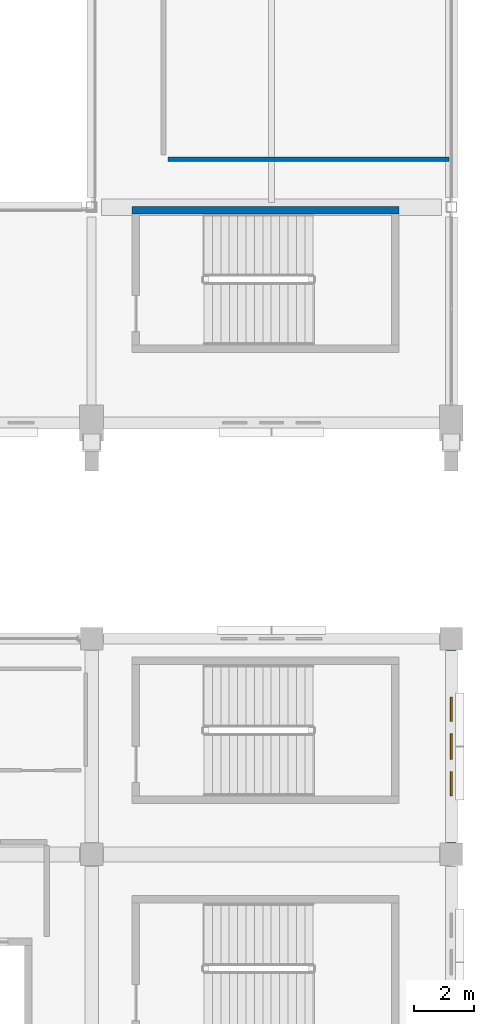
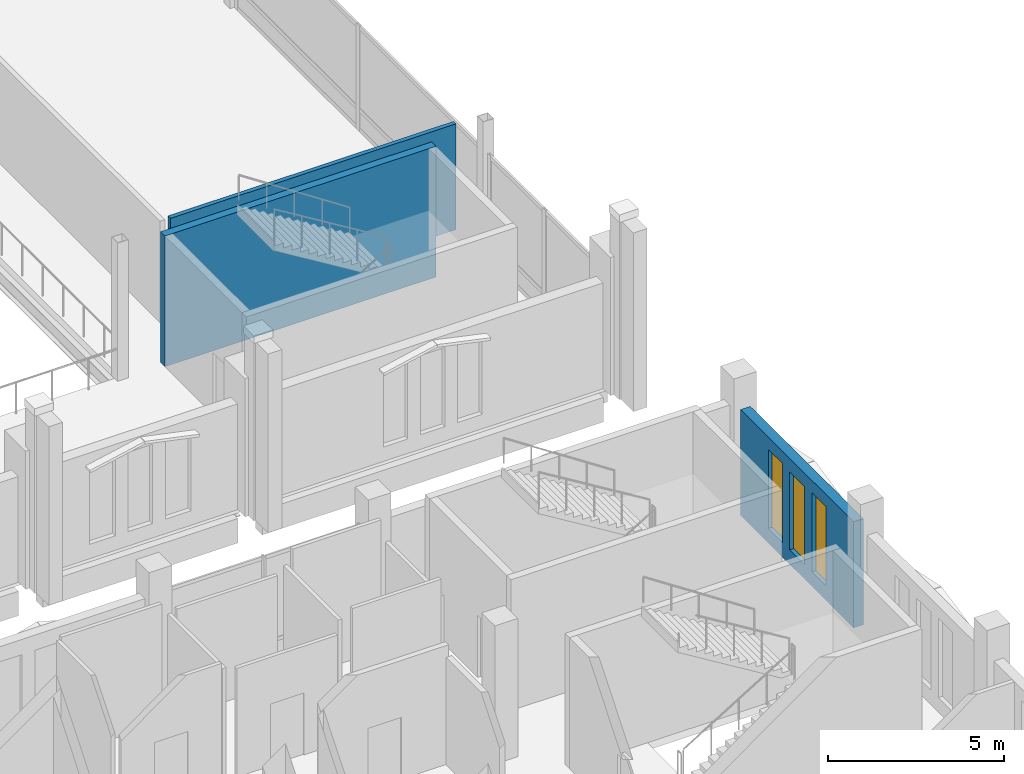
# One storey, part 146 of 193: 3 walls, 3 windows, 3 openings.
"""IFC4 building model written with IfcOpenShell, lengths in metres."""

from ifc_helpers import new_model, si_unit, direction, frame, frame_2d, origin, place, context, subcontext, project, spatial, rectangle, extrude, material, layer, layer_set, type_object, element, fill, save


model = new_model("IFC4")

# Units and contexts
model_context = context("Model", 3, precision=1e-05, world=origin(), true_north=direction((0.0, 1.0)))
body_context = subcontext(model_context, "Body", "Model", "MODEL_VIEW")
ifc_project = project(units=[si_unit("LENGTHUNIT", "METRE"), si_unit("AREAUNIT", "SQUARE_METRE"), si_unit("VOLUMEUNIT", "CUBIC_METRE"), si_unit("PLANEANGLEUNIT", "RADIAN"), si_unit("MASSUNIT", "GRAM", prefix="KILO")], contexts=[model_context])

# Site, building, storey
site_placement = place(None, origin())
site = spatial("IfcSite", under=ifc_project, at=site_placement, CompositionType="ELEMENT")
building_placement = place(site_placement, origin())
building = spatial("IfcBuilding", under=site, at=building_placement, Name="Cendralis Lancet Convention Centre", CompositionType="ELEMENT")
storey_placement = place(building_placement, frame((0.0, 0.0, 10.199951171875)))
storey = spatial("IfcBuildingStorey", under=building, at=storey_placement, Name="L02", CompositionType="ELEMENT", Elevation=10.199951171875)

# Wall, openings, windows
ifc_material_1 = material(Name="Buff sandstone ashlar and Concrete G40 (C40/50)", Category="masonry")
ifc_layer_1 = layer(ifc_material_1, 0.320068359375, Name="Buff sandstone ashlar and Concrete G40 (C40/50)")
ifc_layer_set_1 = layer_set([ifc_layer_1], Name="Buff sandstone ashlar and Concrete G40 (C40/50)")
wall_type_1 = type_object("IfcWallType", Name="ARC-EW-W320", PredefinedType="STANDARD", material=ifc_layer_set_1)
wall_1_placement = place(storey_placement, frame((208.800048828125, 35.616943359375, 0.0), z_axis=(0.0, 0.0, 1.0), x_axis=(0.0, -1.0, 0.0)))
wall_1 = element("IfcWall", 1, at=wall_1_placement, inside=storey, type_object=wall_type_1, Name="L02 V5 Exterior Wall EW-06 #0295", PredefinedType="STANDARD", context=body_context, shape_type="SweptSolid", body=[
    extrude(rectangle(XDim=6.433837890625, YDim=0.320068359375, at=frame_2d((3.216796875, 0.0))), origin(), (0.0, 0.0, 1.0), 3.675048828125),
])
opening_1_placement = place(wall_1_placement, frame((1.576904296875, 0.0, 0.5)))
opening_1 = element("IfcOpeningElement", 2, at=opening_1_placement, cuts=wall_1, Name="Opening WN-07", PredefinedType="OPENING", context=body_context, shape_type="SweptSolid", body=[
    extrude(rectangle(XDim=0.800048828125, YDim=2.75, at=frame_2d((0.39990234375, 1.375))), frame((0.0, 0.169921875, 0.0), z_axis=(0.0, -1.0, 0.0), x_axis=(1.0, 0.0, 0.0)), (0.0, 0.0, 1.0), 0.340087890625),
])
opening_2_placement = place(wall_1_placement, frame((2.797119140625, 0.0, 0.5)))
opening_2 = element("IfcOpeningElement", 3, at=opening_2_placement, cuts=wall_1, Name="Opening WN-15", PredefinedType="OPENING", context=body_context, shape_type="SweptSolid", body=[
    extrude(rectangle(XDim=0.840087890625, YDim=2.699951171875, at=frame_2d((0.419921875, 1.35009765625))), frame((0.0, 0.169921875, 0.0), z_axis=(0.0, -1.0, 0.0), x_axis=(1.0, 0.0, 0.0)), (0.0, 0.0, 1.0), 0.340087890625),
])
opening_3_placement = place(wall_1_placement, frame((4.056884765625, 0.0, 0.5)))
opening_3 = element("IfcOpeningElement", 4, at=opening_3_placement, cuts=wall_1, Name="Opening WN-07", PredefinedType="OPENING", context=body_context, shape_type="SweptSolid", body=[
    extrude(rectangle(XDim=0.800048828125, YDim=2.75, at=frame_2d((0.39990234375, 1.375))), frame((0.0, 0.169921875, 0.0), z_axis=(0.0, -1.0, 0.0), x_axis=(1.0, 0.0, 0.0)), (0.0, 0.0, 1.0), 0.340087890625),
])
ifc_material_2 = material(Name="Double-glazed low-E solar-control glass", Category="glass")
window_type_1 = type_object("IfcWindowType", Name="ARC-WN-LW07", PartitioningType="SINGLE_PANEL", PredefinedType="WINDOW", material=ifc_material_2)
window_1_placement = place(opening_1_placement, origin())
window_1 = element("IfcWindow", 5, at=window_1_placement, inside=storey, type_object=window_type_1, Name="Gothic Lancet Window WN-07 #0574", OverallHeight=2.75, OverallWidth=0.800048828125, PartitioningType="SINGLE_PANEL", PredefinedType="WINDOW", context=body_context, shape_type="SweptSolid", body=[
    extrude(rectangle(XDim=0.800048828125, YDim=2.75, at=frame_2d((0.39990234375, 1.375))), frame((0.0, 0.030029296875, 0.0), z_axis=(0.0, -1.0, 0.0), x_axis=(1.0, 0.0, 0.0)), (0.0, 0.0, 1.0), 0.06005859375),
])
fill(opening_1, window_1)
window_2_placement = place(opening_3_placement, origin())
window_2 = element("IfcWindow", 6, at=window_2_placement, inside=storey, type_object=window_type_1, Name="Gothic Lancet Window WN-07 #0576", OverallHeight=2.75, OverallWidth=0.800048828125, PartitioningType="SINGLE_PANEL", PredefinedType="WINDOW", context=body_context, shape_type="SweptSolid", body=[
    extrude(rectangle(XDim=0.800048828125, YDim=2.75, at=frame_2d((0.39990234375, 1.375))), frame((0.0, 0.030029296875, 0.0), z_axis=(0.0, -1.0, 0.0), x_axis=(1.0, 0.0, 0.0)), (0.0, 0.0, 1.0), 0.06005859375),
])
fill(opening_3, window_2)
window_type_2 = type_object("IfcWindowType", Name="ARC-WN-LW15", PartitioningType="SINGLE_PANEL", PredefinedType="WINDOW", material=ifc_material_2)
window_3_placement = place(opening_2_placement, origin())
window_3 = element("IfcWindow", 7, at=window_3_placement, inside=storey, type_object=window_type_2, Name="Gothic Lancet Window WN-15 #0575", OverallHeight=2.699951171875, OverallWidth=0.840087890625, PartitioningType="SINGLE_PANEL", PredefinedType="WINDOW", context=body_context, shape_type="SweptSolid", body=[
    extrude(rectangle(XDim=0.840087890625, YDim=2.699951171875, at=frame_2d((0.419921875, 1.35009765625))), frame((0.0, 0.030029296875, 0.0), z_axis=(0.0, -1.0, 0.0), x_axis=(1.0, 0.0, 0.0)), (0.0, 0.0, 1.0), 0.06005859375),
])
fill(opening_2, window_3)

# Walls
ifc_material_3 = material(Name="Acoustic fire-rated gypsum board on steel studs", Category="steel")
ifc_layer_2 = layer(ifc_material_3, 0.139892578125, Name="Acoustic fire-rated gypsum board on steel studs")
ifc_layer_set_2 = layer_set([ifc_layer_2], Name="Acoustic fire-rated gypsum board on steel studs")
wall_type_2 = type_object("IfcWallType", Name="ARC-IW-P140", PredefinedType="PARTITIONING", material=ifc_layer_set_2)
wall_2_placement = place(storey_placement, frame((199.340087890625, 52.0, 0.0), z_axis=(0.0, 0.0, 1.0), x_axis=(1.0, 0.0, 0.0)))
element("IfcWall", 8, at=wall_2_placement, inside=storey, type_object=wall_type_2, Name="L02 Interior Partition IW-04 #0106", PredefinedType="PARTITIONING", context=body_context, shape_type="SweptSolid", body=[
    extrude(rectangle(XDim=9.3798828125, YDim=0.139892578125, at=frame_2d((4.68994140625, 0.0))), origin(), (0.0, 0.0, 1.0), 3.675048828125),
])
ifc_material_4 = material(Name="Concrete G40 (C40/50)", Category="concrete")
ifc_layer_3 = layer(ifc_material_4, 0.25, Name="Concrete G40 (C40/50)")
ifc_layer_set_3 = layer_set([ifc_layer_3], Name="Concrete G40 (C40/50)")
wall_type_3 = type_object("IfcWallType", Name="STR-SW-CW250", PredefinedType="SHEAR", material=ifc_layer_set_3)
wall_3_placement = place(storey_placement, frame((198.14990234375, 50.304931640625, 0.0), z_axis=(0.0, 0.0, 1.0), x_axis=(1.0, 0.0, 0.0)))
element("IfcWall", 9, at=wall_3_placement, inside=storey, type_object=wall_type_3, Name="L02 Stair Core ST-09 North Shear Wall", PredefinedType="SHEAR", context=body_context, shape_type="SweptSolid", body=[
    extrude(rectangle(XDim=8.900146484375, YDim=0.25, at=frame_2d((4.4501953125, 0.0))), origin(), (0.0, 0.0, 1.0), 4.5400390625),
])

save(model, "model.ifc")
